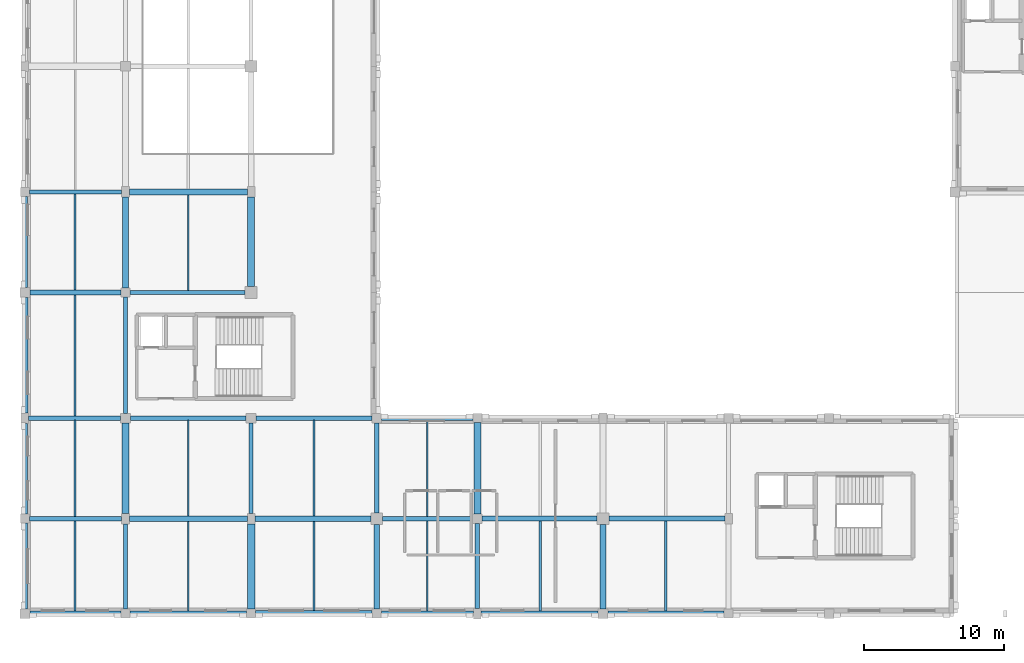
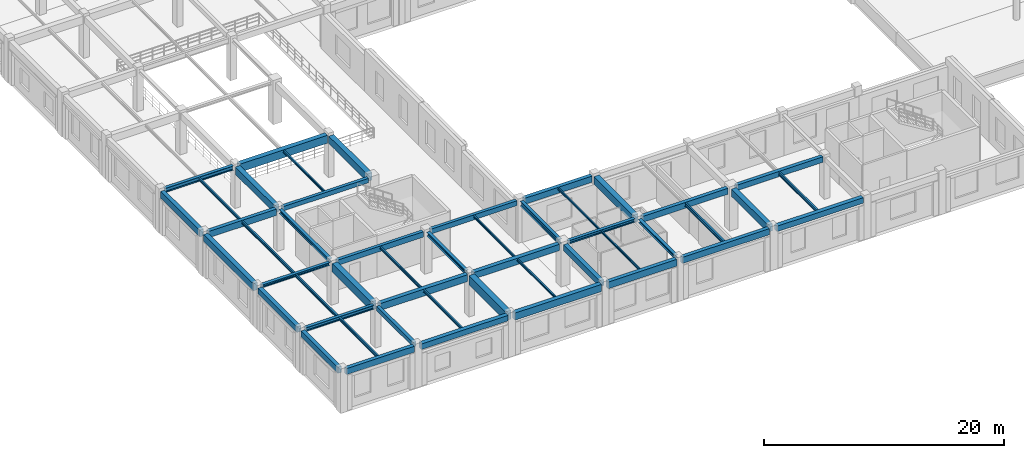
# One storey, part 3 of 62: 49 beams.
"""IFC4 building model written with IfcOpenShell, lengths in metres."""

from ifc_helpers import new_model, si_unit, direction, frame, origin, origin_2d, place, context, subcontext, project, spatial, rectangle, i_section, extrude, material, material_profile, profile_set, type_object, element, save


model = new_model("IFC4")

# Units and contexts
model_context = context("Model", 3, precision=1e-05, world=origin(), true_north=direction((0.0, 1.0)))
body_context = subcontext(model_context, "Body", "Model", "MODEL_VIEW")
ifc_project = project(units=[si_unit("LENGTHUNIT", "METRE"), si_unit("AREAUNIT", "SQUARE_METRE"), si_unit("VOLUMEUNIT", "CUBIC_METRE"), si_unit("PLANEANGLEUNIT", "RADIAN"), si_unit("MASSUNIT", "GRAM", prefix="KILO")], contexts=[model_context])

# Site, building, storey
site_placement = place(None, origin())
site = spatial("IfcSite", under=ifc_project, at=site_placement, CompositionType="ELEMENT")
building_placement = place(site_placement, origin())
building = spatial("IfcBuilding", under=site, at=building_placement, Name="Clarverna Civic Hall", CompositionType="ELEMENT")
storey_placement = place(building_placement, frame((0.0, 0.0, 5.10009765625)))
storey = spatial("IfcBuildingStorey", under=building, at=storey_placement, Name="L01", CompositionType="ELEMENT", Elevation=5.10009765625)

# Beams
ifc_material_1 = material(Name="Concrete C35/45", Category="concrete")
ifc_material_profile_1 = material_profile(ifc_material_1, rectangle(XDim=0.5, YDim=0.85009765625, at=origin_2d()), Name="RC 500x850")
ifc_profile_set_1 = profile_set([ifc_material_profile_1], Name="Concrete C35/45")
beam_type_1 = type_object("IfcBeamType", Name="B-RC1", PredefinedType="BEAM", material=ifc_profile_set_1)
beam_1_placement = place(storey_placement, frame((7.199951171875, 7.175048828125, 3.794921875), z_axis=(0.0, 1.0, 0.0), x_axis=(-1.0, 0.0, 0.0)))
element("IfcBeam", 1, at=beam_1_placement, inside=storey, type_object=beam_type_1, Name="B-RC1-016", PredefinedType="BEAM", context=body_context, shape_type="SweptSolid", body=[
    extrude(rectangle(XDim=0.5, YDim=0.85009765625, at=origin_2d()), origin(), (0.0, 0.0, 1.0), 6.474853515625),
])
ifc_material_profile_2 = material_profile(ifc_material_1, rectangle(XDim=0.300048828125, YDim=0.550048828125, at=origin_2d()), Name="RC 300x550")
ifc_profile_set_2 = profile_set([ifc_material_profile_2], Name="Concrete C35/45")
beam_type_2 = type_object("IfcBeamType", Name="B-RC11", PredefinedType="BEAM", material=ifc_profile_set_2)
beam_2_placement = place(storey_placement, frame((7.550048828125, 14.0, 3.94482421875), z_axis=(1.0, 0.0, 0.0), x_axis=(0.0, 1.0, 0.0)))
element("IfcBeam", 2, at=beam_2_placement, inside=storey, type_object=beam_type_2, Name="B-RC11-022", PredefinedType="BEAM", context=body_context, shape_type="SweptSolid", body=[
    extrude(rectangle(XDim=0.300048828125, YDim=0.550048828125, at=origin_2d()), origin(), (0.0, 0.0, 1.0), 8.300048828125),
])
ifc_material_profile_3 = material_profile(ifc_material_1, rectangle(XDim=0.300048828125, YDim=0.5, at=origin_2d()), Name="RC 300x500")
ifc_profile_set_3 = profile_set([ifc_material_profile_3], Name="Concrete C35/45")
beam_type_3 = type_object("IfcBeamType", Name="B-RC12", PredefinedType="BEAM", material=ifc_profile_set_3)
beam_3_placement = place(storey_placement, frame((16.550048828125, 14.0, 3.969970703125), z_axis=(1.0, 0.0, 0.0), x_axis=(0.0, 1.0, 0.0)))
element("IfcBeam", 3, at=beam_3_placement, inside=storey, type_object=beam_type_3, Name="B-RC12-028", PredefinedType="BEAM", context=body_context, shape_type="SweptSolid", body=[
    extrude(rectangle(XDim=0.300048828125, YDim=0.5, at=origin_2d()), origin(), (0.0, 0.0, 1.0), 8.300048828125),
])
ifc_material_profile_4 = material_profile(ifc_material_1, rectangle(XDim=0.550048828125, YDim=0.89990234375, at=origin_2d()), Name="RC 550x900")
ifc_profile_set_4 = profile_set([ifc_material_profile_4], Name="Concrete C35/45")
beam_type_4 = type_object("IfcBeamType", Name="B-RC13", PredefinedType="BEAM", material=ifc_profile_set_4)
beam_4_placement = place(storey_placement, frame((16.199951171875, 0.324951171875, 3.77001953125), z_axis=(0.0, 1.0, 0.0), x_axis=(-1.0, 0.0, 0.0)))
element("IfcBeam", 4, at=beam_4_placement, inside=storey, type_object=beam_type_4, Name="B-RC13-022", PredefinedType="BEAM", context=body_context, shape_type="SweptSolid", body=[
    extrude(rectangle(XDim=0.550048828125, YDim=0.89990234375, at=origin_2d()), origin(), (0.0, 0.0, 1.0), 6.10009765625),
])
ifc_material_profile_5 = material_profile(ifc_material_1, rectangle(XDim=0.5, YDim=0.75, at=origin_2d()), Name="RC 500x750")
ifc_profile_set_5 = profile_set([ifc_material_profile_5], Name="Concrete C35/45")
beam_type_5 = type_object("IfcBeamType", Name="B-RC15", PredefinedType="BEAM", material=ifc_profile_set_5)
beam_5_placement = place(storey_placement, frame((16.199951171875, 23.425048828125, 3.844970703125), z_axis=(0.0, 1.0, 0.0), x_axis=(-1.0, 0.0, 0.0)))
element("IfcBeam", 5, at=beam_5_placement, inside=storey, type_object=beam_type_5, Name="B-RC15-029", PredefinedType="BEAM", context=body_context, shape_type="SweptSolid", body=[
    extrude(rectangle(XDim=0.5, YDim=0.75, at=origin_2d()), origin(), (0.0, 0.0, 1.0), 6.39990234375),
])
beam_6_placement = place(storey_placement, frame((32.39990234375, 7.14990234375, 3.844970703125), z_axis=(0.0, 1.0, 0.0), x_axis=(-1.0, 0.0, 0.0)))
element("IfcBeam", 6, at=beam_6_placement, inside=storey, type_object=beam_type_5, Name="B-RC15-030", PredefinedType="BEAM", context=body_context, shape_type="SweptSolid", body=[
    extrude(rectangle(XDim=0.5, YDim=0.75, at=origin_2d()), origin(), (0.0, 0.0, 1.0), 6.525146484375),
])
ifc_material_profile_6 = material_profile(ifc_material_1, rectangle(XDim=0.35009765625, YDim=0.64990234375, at=origin_2d()), Name="RC 350x650")
ifc_profile_set_6 = profile_set([ifc_material_profile_6], Name="Concrete C35/45")
beam_type_6 = type_object("IfcBeamType", Name="B-RC17", PredefinedType="BEAM", material=ifc_profile_set_6)
beam_7_placement = place(storey_placement, frame((0.35009765625, 23.0, 3.89501953125), z_axis=(1.0, 0.0, 0.0), x_axis=(0.0, 1.0, 0.0)))
element("IfcBeam", 7, at=beam_7_placement, inside=storey, type_object=beam_type_6, Name="B-RC17-022", PredefinedType="BEAM", context=body_context, shape_type="SweptSolid", body=[
    extrude(rectangle(XDim=0.35009765625, YDim=0.64990234375, at=origin_2d()), origin(), (0.0, 0.0, 1.0), 6.52490234375),
])
ifc_material_profile_7 = material_profile(ifc_material_1, rectangle(XDim=0.300048828125, YDim=0.449951171875, at=origin_2d()), Name="RC 300x450")
ifc_profile_set_7 = profile_set([ifc_material_profile_7], Name="Concrete C35/45")
beam_type_7 = type_object("IfcBeamType", Name="B-RC18", PredefinedType="BEAM", material=ifc_profile_set_7)
beam_8_placement = place(storey_placement, frame((7.52490234375, 23.0, 3.994873046875), z_axis=(1.0, 0.0, 0.0), x_axis=(0.0, 1.0, 0.0)))
element("IfcBeam", 8, at=beam_8_placement, inside=storey, type_object=beam_type_7, Name="B-RC18-022", PredefinedType="BEAM", context=body_context, shape_type="SweptSolid", body=[
    extrude(rectangle(XDim=0.300048828125, YDim=0.449951171875, at=origin_2d()), origin(), (0.0, 0.0, 1.0), 8.25),
])
beam_9_placement = place(storey_placement, frame((7.199951171875, 0.324951171875, 3.994873046875), z_axis=(0.0, 1.0, 0.0), x_axis=(-1.0, 0.0, 0.0)))
element("IfcBeam", 9, at=beam_9_placement, inside=storey, type_object=beam_type_7, Name="B-RC18-026", PredefinedType="BEAM", context=body_context, shape_type="SweptSolid", body=[
    extrude(rectangle(XDim=0.300048828125, YDim=0.449951171875, at=origin_2d()), origin(), (0.0, 0.0, 1.0), 6.10009765625),
])
ifc_material_profile_8 = material_profile(ifc_material_1, rectangle(XDim=0.449951171875, YDim=0.800048828125, at=origin_2d()), Name="RC 450x800")
ifc_profile_set_8 = profile_set([ifc_material_profile_8], Name="Concrete C35/45")
beam_type_8 = type_object("IfcBeamType", Name="B-RC2", PredefinedType="BEAM", material=ifc_profile_set_8)
beam_10_placement = place(storey_placement, frame((7.47509765625, 30.199951171875, 3.81982421875), z_axis=(1.0, 0.0, 0.0), x_axis=(0.0, 1.0, 0.0)))
element("IfcBeam", 10, at=beam_10_placement, inside=storey, type_object=beam_type_8, Name="B-RC2-018", PredefinedType="BEAM", context=body_context, shape_type="SweptSolid", body=[
    extrude(rectangle(XDim=0.449951171875, YDim=0.800048828125, at=origin_2d()), origin(), (0.0, 0.0, 1.0), 8.449951171875),
])
ifc_material_profile_9 = material_profile(ifc_material_1, rectangle(XDim=0.449951171875, YDim=0.75, at=origin_2d()), Name="RC 450x750")
ifc_profile_set_9 = profile_set([ifc_material_profile_9], Name="Concrete C35/45")
beam_type_9 = type_object("IfcBeamType", Name="B-RC3", PredefinedType="BEAM", material=ifc_profile_set_9)
beam_11_placement = place(storey_placement, frame((7.199951171875, 23.324951171875, 3.844970703125), z_axis=(0.0, 1.0, 0.0), x_axis=(-1.0, 0.0, 0.0)))
element("IfcBeam", 11, at=beam_11_placement, inside=storey, type_object=beam_type_9, Name="B-RC3-025", PredefinedType="BEAM", context=body_context, shape_type="SweptSolid", body=[
    extrude(rectangle(XDim=0.449951171875, YDim=0.75, at=origin_2d()), origin(), (0.0, 0.0, 1.0), 6.5),
])
beam_12_placement = place(storey_placement, frame((41.39990234375, 0.35009765625, 3.844970703125), z_axis=(0.0, 1.0, 0.0), x_axis=(-1.0, 0.0, 0.0)))
element("IfcBeam", 12, at=beam_12_placement, inside=storey, type_object=beam_type_9, Name="B-RC3-026", PredefinedType="BEAM", context=body_context, shape_type="SweptSolid", body=[
    extrude(rectangle(XDim=0.449951171875, YDim=0.75, at=origin_2d()), origin(), (0.0, 0.0, 1.0), 6.02490234375),
])
ifc_material_profile_10 = material_profile(ifc_material_1, rectangle(XDim=0.39990234375, YDim=0.699951171875, at=origin_2d()), Name="RC 400x700")
ifc_profile_set_10 = profile_set([ifc_material_profile_10], Name="Concrete C35/45")
beam_type_10 = type_object("IfcBeamType", Name="B-RC5", PredefinedType="BEAM", material=ifc_profile_set_10)
beam_13_placement = place(storey_placement, frame((7.47509765625, 6.800048828125, 3.869873046875), z_axis=(1.0, 0.0, 0.0), x_axis=(0.0, 1.0, 0.0)))
element("IfcBeam", 13, at=beam_13_placement, inside=storey, type_object=beam_type_10, Name="B-RC5-021", PredefinedType="BEAM", context=body_context, shape_type="SweptSolid", body=[
    extrude(rectangle(XDim=0.39990234375, YDim=0.699951171875, at=origin_2d()), origin(), (0.0, 0.0, 1.0), 8.449951171875),
])
ifc_material_profile_11 = material_profile(ifc_material_1, rectangle(XDim=0.39990234375, YDim=0.64990234375, at=origin_2d()), Name="RC 400x650")
ifc_profile_set_11 = profile_set([ifc_material_profile_11], Name="Concrete C35/45")
beam_type_11 = type_object("IfcBeamType", Name="B-RC6", PredefinedType="BEAM", material=ifc_profile_set_11)
beam_14_placement = place(storey_placement, frame((16.47509765625, 6.800048828125, 3.89501953125), z_axis=(1.0, 0.0, 0.0), x_axis=(0.0, 1.0, 0.0)))
element("IfcBeam", 14, at=beam_14_placement, inside=storey, type_object=beam_type_11, Name="B-RC6-025", PredefinedType="BEAM", context=body_context, shape_type="SweptSolid", body=[
    extrude(rectangle(XDim=0.39990234375, YDim=0.64990234375, at=origin_2d()), origin(), (0.0, 0.0, 1.0), 8.2998046875),
])
ifc_material_profile_12 = material_profile(ifc_material_1, rectangle(XDim=0.39990234375, YDim=0.60009765625, at=origin_2d()), Name="RC 400x600")
ifc_profile_set_12 = profile_set([ifc_material_profile_12], Name="Concrete C35/45")
beam_type_12 = type_object("IfcBeamType", Name="B-RC7", PredefinedType="BEAM", material=ifc_profile_set_12)
beam_15_placement = place(storey_placement, frame((25.199951171875, 0.324951171875, 3.919921875), z_axis=(0.0, 1.0, 0.0), x_axis=(-1.0, 0.0, 0.0)))
element("IfcBeam", 15, at=beam_15_placement, inside=storey, type_object=beam_type_12, Name="B-RC7-023", PredefinedType="BEAM", context=body_context, shape_type="SweptSolid", body=[
    extrude(rectangle(XDim=0.39990234375, YDim=0.60009765625, at=origin_2d()), origin(), (0.0, 0.0, 1.0), 6.050048828125),
])
ifc_material_profile_13 = material_profile(ifc_material_1, rectangle(XDim=0.35009765625, YDim=0.60009765625, at=origin_2d()), Name="RC 350x600")
ifc_profile_set_13 = profile_set([ifc_material_profile_13], Name="Concrete C35/45")
beam_type_13 = type_object("IfcBeamType", Name="B-RC8", PredefinedType="BEAM", material=ifc_profile_set_13)
beam_16_placement = place(storey_placement, frame((32.75, 6.800048828125, 3.919921875), z_axis=(1.0, 0.0, 0.0), x_axis=(0.0, 1.0, 0.0)))
element("IfcBeam", 16, at=beam_16_placement, inside=storey, type_object=beam_type_13, Name="B-RC8-020", PredefinedType="BEAM", context=body_context, shape_type="SweptSolid", body=[
    extrude(rectangle(XDim=0.35009765625, YDim=0.60009765625, at=origin_2d()), origin(), (0.0, 0.0, 1.0), 8.22509765625),
])
ifc_material_profile_14 = material_profile(ifc_material_1, rectangle(XDim=0.35009765625, YDim=0.550048828125, at=origin_2d()), Name="RC 350x550")
ifc_profile_set_14 = profile_set([ifc_material_profile_14], Name="Concrete C35/45")
beam_type_14 = type_object("IfcBeamType", Name="B-RC9", PredefinedType="BEAM", material=ifc_profile_set_14)
beam_17_placement = place(storey_placement, frame((41.824951171875, 6.800048828125, 3.94482421875), z_axis=(1.0, 0.0, 0.0), x_axis=(0.0, 1.0, 0.0)))
element("IfcBeam", 17, at=beam_17_placement, inside=storey, type_object=beam_type_14, Name="B-RC9-024", PredefinedType="BEAM", context=body_context, shape_type="SweptSolid", body=[
    extrude(rectangle(XDim=0.35009765625, YDim=0.550048828125, at=origin_2d()), origin(), (0.0, 0.0, 1.0), 8.300048828125),
])
ifc_material_profile_15 = material_profile(ifc_material_1, rectangle(XDim=0.419921875, YDim=0.719970703125, at=origin_2d()), Name="RC 420x720")
ifc_profile_set_15 = profile_set([ifc_material_profile_15], Name="Concrete C35/45")
beam_type_15 = type_object("IfcBeamType", Name="B-SP1", PredefinedType="SPANDREL", material=ifc_profile_set_15)
beam_18_placement = place(storey_placement, frame((16.52490234375, 0.0, 3.85986328125), z_axis=(1.0, 0.0, 0.0), x_axis=(0.0, 1.0, 0.0)))
element("IfcBeam", 18, at=beam_18_placement, inside=storey, type_object=beam_type_15, Name="B-SP1-057", PredefinedType="SPANDREL", context=body_context, shape_type="SweptSolid", body=[
    extrude(rectangle(XDim=0.419921875, YDim=0.719970703125, at=origin_2d()), origin(), (0.0, 0.0, 1.0), 8.35009765625),
])
beam_19_placement = place(storey_placement, frame((0.0, 14.375, 3.85986328125), z_axis=(0.0, 1.0, 0.0), x_axis=(-1.0, 0.0, 0.0)))
element("IfcBeam", 19, at=beam_19_placement, inside=storey, type_object=beam_type_15, Name="B-SP1-069", PredefinedType="SPANDREL", context=body_context, shape_type="SweptSolid", body=[
    extrude(rectangle(XDim=0.419921875, YDim=0.719970703125, at=origin_2d()), origin(), (0.0, 0.0, 1.0), 8.27490234375),
])
ifc_material_profile_16 = material_profile(ifc_material_1, rectangle(XDim=0.3798828125, YDim=0.679931640625, at=origin_2d()), Name="RC 380x680")
ifc_profile_set_16 = profile_set([ifc_material_profile_16], Name="Concrete C35/45")
beam_type_16 = type_object("IfcBeamType", Name="B-SP2", PredefinedType="SPANDREL", material=ifc_profile_set_16)
beam_20_placement = place(storey_placement, frame((25.52490234375, 0.0, 3.8798828125), z_axis=(1.0, 0.0, 0.0), x_axis=(0.0, 1.0, 0.0)))
element("IfcBeam", 20, at=beam_20_placement, inside=storey, type_object=beam_type_16, Name="B-SP2-057", PredefinedType="SPANDREL", context=body_context, shape_type="SweptSolid", body=[
    extrude(rectangle(XDim=0.3798828125, YDim=0.679931640625, at=origin_2d()), origin(), (0.0, 0.0, 1.0), 6.60009765625),
])
beam_21_placement = place(storey_placement, frame((0.0, 23.35009765625, 3.8798828125), z_axis=(0.0, 1.0, 0.0), x_axis=(-1.0, 0.0, 0.0)))
element("IfcBeam", 21, at=beam_21_placement, inside=storey, type_object=beam_type_16, Name="B-SP2-071", PredefinedType="SPANDREL", context=body_context, shape_type="SweptSolid", body=[
    extrude(rectangle(XDim=0.3798828125, YDim=0.679931640625, at=origin_2d()), origin(), (0.0, 0.0, 1.0), 6.52490234375),
])
ifc_material_profile_17 = material_profile(ifc_material_1, rectangle(XDim=0.360107421875, YDim=0.6201171875, at=origin_2d()), Name="RC 360x620")
ifc_profile_set_17 = profile_set([ifc_material_profile_17], Name="Concrete C35/45")
beam_type_17 = type_object("IfcBeamType", Name="B-SP3", PredefinedType="SPANDREL", material=ifc_profile_set_17)
beam_22_placement = place(storey_placement, frame((0.35009765625, 0.0, 3.909912109375), z_axis=(1.0, 0.0, 0.0), x_axis=(0.0, 1.0, 0.0)))
element("IfcBeam", 22, at=beam_22_placement, inside=storey, type_object=beam_type_17, Name="B-SP3-057", PredefinedType="SPANDREL", context=body_context, shape_type="SweptSolid", body=[
    extrude(rectangle(XDim=0.360107421875, YDim=0.6201171875, at=origin_2d()), origin(), (0.0, 0.0, 1.0), 6.52490234375),
])
beam_23_placement = place(storey_placement, frame((32.675048828125, 0.0, 3.909912109375), z_axis=(1.0, 0.0, 0.0), x_axis=(0.0, 1.0, 0.0)))
element("IfcBeam", 23, at=beam_23_placement, inside=storey, type_object=beam_type_17, Name="B-SP3-058", PredefinedType="SPANDREL", context=body_context, shape_type="SweptSolid", body=[
    extrude(rectangle(XDim=0.360107421875, YDim=0.6201171875, at=origin_2d()), origin(), (0.0, 0.0, 1.0), 8.375),
])
beam_24_placement = place(storey_placement, frame((25.550048828125, 14.0, 3.909912109375), z_axis=(1.0, 0.0, 0.0), x_axis=(0.0, 1.0, 0.0)))
element("IfcBeam", 24, at=beam_24_placement, inside=storey, type_object=beam_type_17, Name="B-SP3-059", PredefinedType="SPANDREL", context=body_context, shape_type="SweptSolid", body=[
    extrude(rectangle(XDim=0.360107421875, YDim=0.6201171875, at=origin_2d()), origin(), (0.0, 0.0, 1.0), 6.52490234375),
])
beam_25_placement = place(storey_placement, frame((0.0, 0.35009765625, 3.909912109375), z_axis=(0.0, 1.0, 0.0), x_axis=(-1.0, 0.0, 0.0)))
element("IfcBeam", 25, at=beam_25_placement, inside=storey, type_object=beam_type_17, Name="B-SP3-070", PredefinedType="SPANDREL", context=body_context, shape_type="SweptSolid", body=[
    extrude(rectangle(XDim=0.360107421875, YDim=0.6201171875, at=origin_2d()), origin(), (0.0, 0.0, 1.0), 6.125),
])
ifc_material_profile_18 = material_profile(ifc_material_1, rectangle(XDim=0.39990234375, YDim=0.56005859375, at=origin_2d()), Name="RC 400x560")
ifc_profile_set_18 = profile_set([ifc_material_profile_18], Name="Concrete C35/45")
beam_type_18 = type_object("IfcBeamType", Name="B-SP4", PredefinedType="SPANDREL", material=ifc_profile_set_18)
beam_26_placement = place(storey_placement, frame((7.52490234375, 0.0, 3.93994140625), z_axis=(1.0, 0.0, 0.0), x_axis=(0.0, 1.0, 0.0)))
element("IfcBeam", 26, at=beam_26_placement, inside=storey, type_object=beam_type_18, Name="B-SP4-053", PredefinedType="SPANDREL", context=body_context, shape_type="SweptSolid", body=[
    extrude(rectangle(XDim=0.39990234375, YDim=0.56005859375, at=origin_2d()), origin(), (0.0, 0.0, 1.0), 8.35009765625),
])
beam_27_placement = place(storey_placement, frame((41.75, 0.0, 3.93994140625), z_axis=(1.0, 0.0, 0.0), x_axis=(0.0, 1.0, 0.0)))
element("IfcBeam", 27, at=beam_27_placement, inside=storey, type_object=beam_type_18, Name="B-SP4-054", PredefinedType="SPANDREL", context=body_context, shape_type="SweptSolid", body=[
    extrude(rectangle(XDim=0.39990234375, YDim=0.56005859375, at=origin_2d()), origin(), (0.0, 0.0, 1.0), 8.324951171875),
])
beam_28_placement = place(storey_placement, frame((0.0, 7.125, 3.93994140625), z_axis=(0.0, 1.0, 0.0), x_axis=(-1.0, 0.0, 0.0)))
element("IfcBeam", 28, at=beam_28_placement, inside=storey, type_object=beam_type_18, Name="B-SP4-067", PredefinedType="SPANDREL", context=body_context, shape_type="SweptSolid", body=[
    extrude(rectangle(XDim=0.39990234375, YDim=0.56005859375, at=origin_2d()), origin(), (0.0, 0.0, 1.0), 6.5),
])
ifc_material_2 = material(Name="Steel S355", Category="steel")
ifc_material_profile_19 = material_profile(ifc_material_2, i_section(OverallWidth=0.300048828125, OverallDepth=0.2900390625, WebThickness=0.008544921875, FlangeThickness=0.013916015625, FilletRadius=0.027099609375, at=origin_2d()), Name="HEA 300")
ifc_profile_set_19 = profile_set([ifc_material_profile_19], Name="Steel S355")
beam_type_19 = type_object("IfcBeamType", Name="B-ST10", PredefinedType="BEAM", material=ifc_profile_set_19)
beam_29_placement = place(storey_placement, frame((0.27490234375, 14.0, 4.074951171875), z_axis=(1.0, 0.0, 0.0), x_axis=(0.0, 1.0, 0.0)))
element("IfcBeam", 29, at=beam_29_placement, inside=storey, type_object=beam_type_19, Name="B-ST10-004", PredefinedType="BEAM", context=body_context, shape_type="SweptSolid", body=[
    extrude(i_section(OverallWidth=0.300048828125, OverallDepth=0.2900390625, WebThickness=0.008544921875, FlangeThickness=0.013916015625, FilletRadius=0.027099609375, at=origin_2d()), origin(), (0.0, 0.0, 1.0), 6.5751953125),
])
ifc_material_profile_20 = material_profile(ifc_material_2, i_section(OverallWidth=0.300048828125, OverallDepth=0.5, WebThickness=0.014404296875, FlangeThickness=0.028076171875, FilletRadius=0.027099609375, at=origin_2d()), Name="HEB 500")
ifc_profile_set_20 = profile_set([ifc_material_profile_20], Name="Steel S355")
beam_type_20 = type_object("IfcBeamType", Name="B-ST2", PredefinedType="BEAM", material=ifc_profile_set_20)
beam_30_placement = place(storey_placement, frame((25.199951171875, 7.22509765625, 3.969970703125), z_axis=(0.0, 1.0, 0.0), x_axis=(-1.0, 0.0, 0.0)))
element("IfcBeam", 30, at=beam_30_placement, inside=storey, type_object=beam_type_20, Name="B-ST2-004", PredefinedType="BEAM", context=body_context, shape_type="SweptSolid", body=[
    extrude(i_section(OverallWidth=0.300048828125, OverallDepth=0.5, WebThickness=0.014404296875, FlangeThickness=0.028076171875, FilletRadius=0.027099609375, at=origin_2d()), origin(), (0.0, 0.0, 1.0), 6.4248046875),
])
ifc_material_profile_21 = material_profile(ifc_material_2, i_section(OverallWidth=0.300048828125, OverallDepth=0.39990234375, WebThickness=0.013427734375, FlangeThickness=0.02392578125, FilletRadius=0.027099609375, at=origin_2d()), Name="HEB 400")
ifc_profile_set_21 = profile_set([ifc_material_profile_21], Name="Steel S355")
beam_type_21 = type_object("IfcBeamType", Name="B-ST4", PredefinedType="BEAM", material=ifc_profile_set_21)
beam_31_placement = place(storey_placement, frame((0.324951171875, 6.800048828125, 4.02001953125), z_axis=(1.0, 0.0, 0.0), x_axis=(0.0, 1.0, 0.0)))
element("IfcBeam", 31, at=beam_31_placement, inside=storey, type_object=beam_type_21, Name="B-ST4-005", PredefinedType="BEAM", context=body_context, shape_type="SweptSolid", body=[
    extrude(i_section(OverallWidth=0.300048828125, OverallDepth=0.39990234375, WebThickness=0.013427734375, FlangeThickness=0.02392578125, FilletRadius=0.027099609375, at=origin_2d()), origin(), (0.0, 0.0, 1.0), 6.60009765625),
])
beam_32_placement = place(storey_placement, frame((16.199951171875, 7.175048828125, 4.02001953125), z_axis=(0.0, 1.0, 0.0), x_axis=(-1.0, 0.0, 0.0)))
element("IfcBeam", 32, at=beam_32_placement, inside=storey, type_object=beam_type_21, Name="B-ST4-007", PredefinedType="BEAM", context=body_context, shape_type="SweptSolid", body=[
    extrude(i_section(OverallWidth=0.300048828125, OverallDepth=0.39990234375, WebThickness=0.013427734375, FlangeThickness=0.02392578125, FilletRadius=0.027099609375, at=origin_2d()), origin(), (0.0, 0.0, 1.0), 6.474853515625),
])
ifc_material_profile_22 = material_profile(ifc_material_2, i_section(OverallWidth=0.300048828125, OverallDepth=0.43994140625, WebThickness=0.011474609375, FlangeThickness=0.02099609375, FilletRadius=0.027099609375, at=origin_2d()), Name="HEA 450")
ifc_profile_set_22 = profile_set([ifc_material_profile_22], Name="Steel S355")
beam_type_22 = type_object("IfcBeamType", Name="B-ST5", PredefinedType="BEAM", material=ifc_profile_set_22)
beam_33_placement = place(storey_placement, frame((0.324951171875, 30.199951171875, 4.0), z_axis=(1.0, 0.0, 0.0), x_axis=(0.0, 1.0, 0.0)))
element("IfcBeam", 33, at=beam_33_placement, inside=storey, type_object=beam_type_22, Name="B-ST5-051", PredefinedType="BEAM", context=body_context, shape_type="SweptSolid", body=[
    extrude(i_section(OverallWidth=0.300048828125, OverallDepth=0.43994140625, WebThickness=0.011474609375, FlangeThickness=0.02099609375, FilletRadius=0.027099609375, at=origin_2d()), origin(), (0.0, 0.0, 1.0), 6.60009765625),
])
ifc_material_profile_23 = material_profile(ifc_material_2, i_section(OverallWidth=0.300048828125, OverallDepth=0.389892578125, WebThickness=0.010986328125, FlangeThickness=0.01904296875, FilletRadius=0.027099609375, at=origin_2d()), Name="HEA 400")
ifc_profile_set_23 = profile_set([ifc_material_profile_23], Name="Steel S355")
beam_type_23 = type_object("IfcBeamType", Name="B-ST6", PredefinedType="BEAM", material=ifc_profile_set_23)
beam_34_placement = place(storey_placement, frame((7.199951171875, 14.35009765625, 4.02490234375), z_axis=(0.0, 1.0, 0.0), x_axis=(-1.0, 0.0, 0.0)))
element("IfcBeam", 34, at=beam_34_placement, inside=storey, type_object=beam_type_23, Name="B-ST6-006", PredefinedType="BEAM", context=body_context, shape_type="SweptSolid", body=[
    extrude(i_section(OverallWidth=0.300048828125, OverallDepth=0.389892578125, WebThickness=0.010986328125, FlangeThickness=0.01904296875, FilletRadius=0.027099609375, at=origin_2d()), origin(), (0.0, 0.0, 1.0), 8.324951171875),
])
ifc_material_profile_24 = material_profile(ifc_material_2, i_section(OverallWidth=0.300048828125, OverallDepth=0.35009765625, WebThickness=0.010009765625, FlangeThickness=0.017578125, FilletRadius=0.027099609375, at=origin_2d()), Name="HEA 360")
ifc_profile_set_24 = profile_set([ifc_material_profile_24], Name="Steel S355")
beam_type_24 = type_object("IfcBeamType", Name="B-ST7", PredefinedType="BEAM", material=ifc_profile_set_24)
beam_35_placement = place(storey_placement, frame((25.625, 6.800048828125, 4.044921875), z_axis=(1.0, 0.0, 0.0), x_axis=(0.0, 1.0, 0.0)))
element("IfcBeam", 35, at=beam_35_placement, inside=storey, type_object=beam_type_24, Name="B-ST7-005", PredefinedType="BEAM", context=body_context, shape_type="SweptSolid", body=[
    extrude(i_section(OverallWidth=0.300048828125, OverallDepth=0.35009765625, WebThickness=0.010009765625, FlangeThickness=0.017578125, FilletRadius=0.027099609375, at=origin_2d()), origin(), (0.0, 0.0, 1.0), 6.425048828125),
])
ifc_material_profile_25 = material_profile(ifc_material_2, i_section(OverallWidth=0.300048828125, OverallDepth=0.330078125, WebThickness=0.009521484375, FlangeThickness=0.0166015625, FilletRadius=0.027099609375, at=origin_2d()), Name="HEA 340")
ifc_profile_set_25 = profile_set([ifc_material_profile_25], Name="Steel S355")
beam_type_25 = type_object("IfcBeamType", Name="B-ST8", PredefinedType="BEAM", material=ifc_profile_set_25)
beam_36_placement = place(storey_placement, frame((32.39990234375, 0.375, 4.054931640625), z_axis=(0.0, 1.0, 0.0), x_axis=(-1.0, 0.0, 0.0)))
element("IfcBeam", 36, at=beam_36_placement, inside=storey, type_object=beam_type_25, Name="B-ST8-057", PredefinedType="BEAM", context=body_context, shape_type="SweptSolid", body=[
    extrude(i_section(OverallWidth=0.300048828125, OverallDepth=0.330078125, WebThickness=0.009521484375, FlangeThickness=0.0166015625, FilletRadius=0.027099609375, at=origin_2d()), origin(), (0.0, 0.0, 1.0), 6.074951171875),
])
ifc_material_profile_26 = material_profile(ifc_material_2, i_section(OverallWidth=0.169921875, OverallDepth=0.360107421875, WebThickness=0.008056640625, FlangeThickness=0.0126953125, FilletRadius=0.01806640625, at=origin_2d()), Name="IPE 360")
ifc_profile_set_26 = profile_set([ifc_material_profile_26], Name="Steel S355")
beam_type_26 = type_object("IfcBeamType", Name="J-ST1", PredefinedType="JOIST", material=ifc_profile_set_26)
beam_37_placement = place(storey_placement, frame((36.89990234375, 0.179931640625, 4.039794921875), z_axis=(0.0, 1.0, 0.0), x_axis=(-1.0, 0.0, 0.0)))
element("IfcBeam", 37, at=beam_37_placement, inside=storey, type_object=beam_type_26, Name="J-ST1-035", PredefinedType="JOIST", context=body_context, shape_type="SweptSolid", body=[
    extrude(i_section(OverallWidth=0.169921875, OverallDepth=0.360107421875, WebThickness=0.008056640625, FlangeThickness=0.0126953125, FilletRadius=0.01806640625, at=origin_2d()), origin(), (0.0, 0.0, 1.0), 6.445068359375),
])
ifc_material_profile_27 = material_profile(ifc_material_2, i_section(OverallWidth=0.159912109375, OverallDepth=0.330078125, WebThickness=0.007568359375, FlangeThickness=0.011474609375, FilletRadius=0.01806640625, at=origin_2d()), Name="IPE 330")
ifc_profile_set_27 = profile_set([ifc_material_profile_27], Name="Steel S355")
beam_type_27 = type_object("IfcBeamType", Name="J-ST2", PredefinedType="JOIST", material=ifc_profile_set_27)
beam_38_placement = place(storey_placement, frame((45.89990234375, 0.199951171875, 4.054931640625), z_axis=(0.0, 1.0, 0.0), x_axis=(-1.0, 0.0, 0.0)))
element("IfcBeam", 38, at=beam_38_placement, inside=storey, type_object=beam_type_27, Name="J-ST2-035", PredefinedType="JOIST", context=body_context, shape_type="SweptSolid", body=[
    extrude(i_section(OverallWidth=0.159912109375, OverallDepth=0.330078125, WebThickness=0.007568359375, FlangeThickness=0.011474609375, FilletRadius=0.01806640625, at=origin_2d()), origin(), (0.0, 0.0, 1.0), 6.425048828125),
])
ifc_material_profile_28 = material_profile(ifc_material_2, i_section(OverallWidth=0.14990234375, OverallDepth=0.300048828125, WebThickness=0.007080078125, FlangeThickness=0.0107421875, FilletRadius=0.014892578125, at=origin_2d()), Name="IPE 300")
ifc_profile_set_28 = profile_set([ifc_material_profile_28], Name="Steel S355")
beam_type_28 = type_object("IfcBeamType", Name="J-ST3", PredefinedType="JOIST", material=ifc_profile_set_28)
beam_39_placement = place(storey_placement, frame((3.60009765625, 0.179931640625, 4.06982421875), z_axis=(0.0, 1.0, 0.0), x_axis=(-1.0, 0.0, 0.0)))
element("IfcBeam", 39, at=beam_39_placement, inside=storey, type_object=beam_type_28, Name="J-ST3-034", PredefinedType="JOIST", context=body_context, shape_type="SweptSolid", body=[
    extrude(i_section(OverallWidth=0.14990234375, OverallDepth=0.300048828125, WebThickness=0.007080078125, FlangeThickness=0.0107421875, FilletRadius=0.014892578125, at=origin_2d()), origin(), (0.0, 0.0, 1.0), 6.469970703125),
])
beam_40_placement = place(storey_placement, frame((3.60009765625, 6.949951171875, 4.06982421875), z_axis=(0.0, 1.0, 0.0), x_axis=(-1.0, 0.0, 0.0)))
element("IfcBeam", 40, at=beam_40_placement, inside=storey, type_object=beam_type_28, Name="J-ST3-035", PredefinedType="JOIST", context=body_context, shape_type="SweptSolid", body=[
    extrude(i_section(OverallWidth=0.14990234375, OverallDepth=0.300048828125, WebThickness=0.007080078125, FlangeThickness=0.0107421875, FilletRadius=0.014892578125, at=origin_2d()), origin(), (0.0, 0.0, 1.0), 6.900146484375),
])
beam_41_placement = place(storey_placement, frame((3.60009765625, 14.14990234375, 4.06982421875), z_axis=(0.0, 1.0, 0.0), x_axis=(-1.0, 0.0, 0.0)))
element("IfcBeam", 41, at=beam_41_placement, inside=storey, type_object=beam_type_28, Name="J-ST3-036", PredefinedType="JOIST", context=body_context, shape_type="SweptSolid", body=[
    extrude(i_section(OverallWidth=0.14990234375, OverallDepth=0.300048828125, WebThickness=0.007080078125, FlangeThickness=0.0107421875, FilletRadius=0.014892578125, at=origin_2d()), origin(), (0.0, 0.0, 1.0), 8.675048828125),
])
ifc_material_profile_29 = material_profile(ifc_material_2, i_section(OverallWidth=0.135009765625, OverallDepth=0.27001953125, WebThickness=0.006591796875, FlangeThickness=0.01025390625, FilletRadius=0.014892578125, at=origin_2d()), Name="IPE 270")
ifc_profile_set_29 = profile_set([ifc_material_profile_29], Name="Steel S355")
beam_type_29 = type_object("IfcBeamType", Name="J-ST4", PredefinedType="JOIST", material=ifc_profile_set_29)
beam_42_placement = place(storey_placement, frame((11.699951171875, 0.199951171875, 4.0849609375), z_axis=(0.0, 1.0, 0.0), x_axis=(-1.0, 0.0, 0.0)))
element("IfcBeam", 42, at=beam_42_placement, inside=storey, type_object=beam_type_29, Name="J-ST4-036", PredefinedType="JOIST", context=body_context, shape_type="SweptSolid", body=[
    extrude(i_section(OverallWidth=0.135009765625, OverallDepth=0.27001953125, WebThickness=0.006591796875, FlangeThickness=0.01025390625, FilletRadius=0.014892578125, at=origin_2d()), origin(), (0.0, 0.0, 1.0), 6.400146484375),
])
beam_43_placement = place(storey_placement, frame((11.699951171875, 7.0, 4.0849609375), z_axis=(0.0, 1.0, 0.0), x_axis=(-1.0, 0.0, 0.0)))
element("IfcBeam", 43, at=beam_43_placement, inside=storey, type_object=beam_type_29, Name="J-ST4-037", PredefinedType="JOIST", context=body_context, shape_type="SweptSolid", body=[
    extrude(i_section(OverallWidth=0.135009765625, OverallDepth=0.27001953125, WebThickness=0.006591796875, FlangeThickness=0.01025390625, FilletRadius=0.014892578125, at=origin_2d()), origin(), (0.0, 0.0, 1.0), 6.85009765625),
])
beam_44_placement = place(storey_placement, frame((3.60009765625, 23.175048828125, 4.0849609375), z_axis=(0.0, 1.0, 0.0), x_axis=(-1.0, 0.0, 0.0)))
element("IfcBeam", 44, at=beam_44_placement, inside=storey, type_object=beam_type_29, Name="J-ST4-038", PredefinedType="JOIST", context=body_context, shape_type="SweptSolid", body=[
    extrude(i_section(OverallWidth=0.135009765625, OverallDepth=0.27001953125, WebThickness=0.006591796875, FlangeThickness=0.01025390625, FilletRadius=0.014892578125, at=origin_2d()), origin(), (0.0, 0.0, 1.0), 6.875),
])
ifc_material_profile_30 = material_profile(ifc_material_2, i_section(OverallWidth=0.1201171875, OverallDepth=0.239990234375, WebThickness=0.006103515625, FlangeThickness=0.009765625, FilletRadius=0.014892578125, at=origin_2d()), Name="IPE 240")
ifc_profile_set_30 = profile_set([ifc_material_profile_30], Name="Steel S355")
beam_type_30 = type_object("IfcBeamType", Name="J-ST5", PredefinedType="JOIST", material=ifc_profile_set_30)
beam_45_placement = place(storey_placement, frame((20.699951171875, 0.2099609375, 4.099853515625), z_axis=(0.0, 1.0, 0.0), x_axis=(-1.0, 0.0, 0.0)))
element("IfcBeam", 45, at=beam_45_placement, inside=storey, type_object=beam_type_30, Name="J-ST5-034", PredefinedType="JOIST", context=body_context, shape_type="SweptSolid", body=[
    extrude(i_section(OverallWidth=0.1201171875, OverallDepth=0.239990234375, WebThickness=0.006103515625, FlangeThickness=0.009765625, FilletRadius=0.014892578125, at=origin_2d()), origin(), (0.0, 0.0, 1.0), 6.39013671875),
])
beam_46_placement = place(storey_placement, frame((20.699951171875, 7.0, 4.099853515625), z_axis=(0.0, 1.0, 0.0), x_axis=(-1.0, 0.0, 0.0)))
element("IfcBeam", 46, at=beam_46_placement, inside=storey, type_object=beam_type_30, Name="J-ST5-035", PredefinedType="JOIST", context=body_context, shape_type="SweptSolid", body=[
    extrude(i_section(OverallWidth=0.1201171875, OverallDepth=0.239990234375, WebThickness=0.006103515625, FlangeThickness=0.009765625, FilletRadius=0.014892578125, at=origin_2d()), origin(), (0.0, 0.0, 1.0), 6.85009765625),
])
beam_47_placement = place(storey_placement, frame((11.699951171875, 23.14990234375, 4.099853515625), z_axis=(0.0, 1.0, 0.0), x_axis=(-1.0, 0.0, 0.0)))
element("IfcBeam", 47, at=beam_47_placement, inside=storey, type_object=beam_type_30, Name="J-ST5-036", PredefinedType="JOIST", context=body_context, shape_type="SweptSolid", body=[
    extrude(i_section(OverallWidth=0.1201171875, OverallDepth=0.239990234375, WebThickness=0.006103515625, FlangeThickness=0.009765625, FilletRadius=0.014892578125, at=origin_2d()), origin(), (0.0, 0.0, 1.0), 6.8251953125),
])
ifc_material_profile_31 = material_profile(ifc_material_2, i_section(OverallWidth=0.110107421875, OverallDepth=0.219970703125, WebThickness=0.005859375, FlangeThickness=0.00927734375, FilletRadius=0.011962890625, at=origin_2d()), Name="IPE 220")
ifc_profile_set_31 = profile_set([ifc_material_profile_31], Name="Steel S355")
beam_type_31 = type_object("IfcBeamType", Name="J-ST6", PredefinedType="JOIST", material=ifc_profile_set_31)
beam_48_placement = place(storey_placement, frame((28.800048828125, 0.18994140625, 4.10986328125), z_axis=(0.0, 1.0, 0.0), x_axis=(-1.0, 0.0, 0.0)))
element("IfcBeam", 48, at=beam_48_placement, inside=storey, type_object=beam_type_31, Name="J-ST6-035", PredefinedType="JOIST", context=body_context, shape_type="SweptSolid", body=[
    extrude(i_section(OverallWidth=0.110107421875, OverallDepth=0.219970703125, WebThickness=0.005859375, FlangeThickness=0.00927734375, FilletRadius=0.011962890625, at=origin_2d()), origin(), (0.0, 0.0, 1.0), 6.4599609375),
])
beam_49_placement = place(storey_placement, frame((28.800048828125, 6.949951171875, 4.10986328125), z_axis=(0.0, 1.0, 0.0), x_axis=(-1.0, 0.0, 0.0)))
element("IfcBeam", 49, at=beam_49_placement, inside=storey, type_object=beam_type_31, Name="J-ST6-036", PredefinedType="JOIST", context=body_context, shape_type="SweptSolid", body=[
    extrude(i_section(OverallWidth=0.110107421875, OverallDepth=0.219970703125, WebThickness=0.005859375, FlangeThickness=0.00927734375, FilletRadius=0.011962890625, at=origin_2d()), origin(), (0.0, 0.0, 1.0), 6.8701171875),
])

save(model, "model.ifc")
